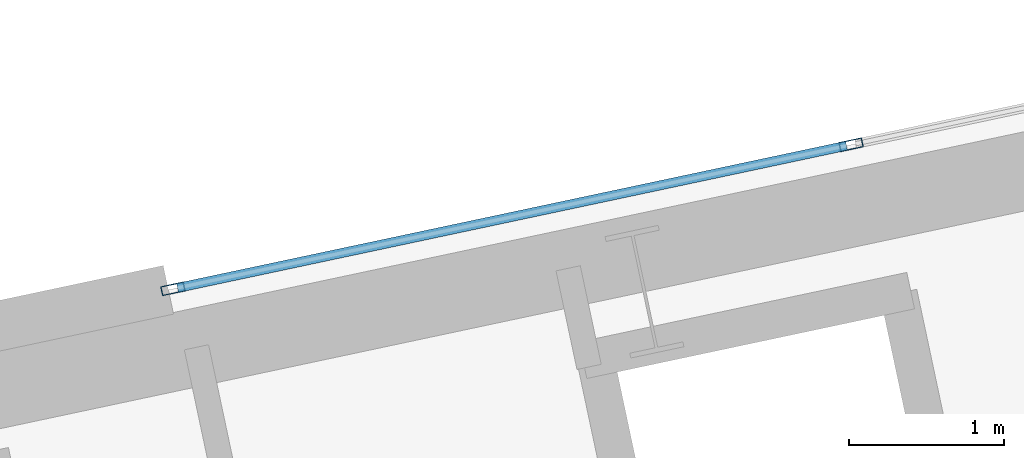
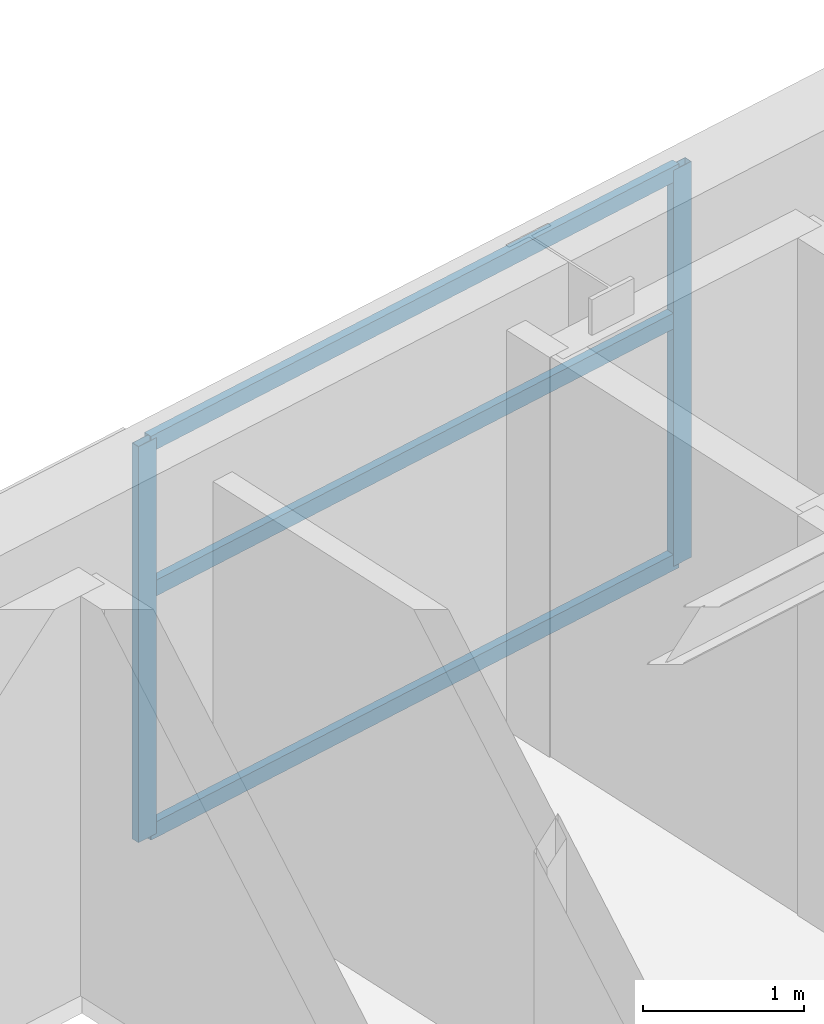
# One storey, part 6 of 22: 5 members, 1 element without a shape of its own.
"""IFC4 building model written with IfcOpenShell, lengths in metres."""

from ifc_helpers import new_model, si_unit, direction, frame, origin, origin_2d, place, context, subcontext, project, spatial, hollow_rectangle, extrude, material, layer, layer_set, material_profile, profile_set, type_object, element, aggregate, save


model = new_model("IFC4")

# Units and contexts
model_context = context("Model", 3, precision=1e-05, world=origin(), true_north=direction((0.0, 1.0)))
body_context = subcontext(model_context, "Body", "Model", "MODEL_VIEW")
ifc_project = project(units=[si_unit("LENGTHUNIT", "METRE"), si_unit("AREAUNIT", "SQUARE_METRE"), si_unit("VOLUMEUNIT", "CUBIC_METRE"), si_unit("PLANEANGLEUNIT", "RADIAN"), si_unit("MASSUNIT", "GRAM", prefix="KILO")], contexts=[model_context])

# Site, building, storey
site_placement = place(None, origin())
site = spatial("IfcSite", under=ifc_project, at=site_placement, CompositionType="ELEMENT")
building_placement = place(site_placement, origin())
building = spatial("IfcBuilding", under=site, at=building_placement, Name="Haevon Station Towers", CompositionType="ELEMENT")
storey_placement = place(building_placement, frame((0.0, 0.0, 113.10009765625)))
storey = spatial("IfcBuildingStorey", under=building, at=storey_placement, Name="L30", CompositionType="ELEMENT", Elevation=113.10009765625)

# Curtain wall, members
ifc_material_1 = material(Name="Anodised aluminium and Low-E double glazing", Category="aluminium")
ifc_layer = layer(ifc_material_1, 0.179931640625)
ifc_layer_set = layer_set([ifc_layer], Name="Anodised aluminium and Low-E double glazing")
curtain_wall_type = type_object("IfcCurtainWallType", Name="CW-SYS5", PredefinedType="NOTDEFINED", material=ifc_layer_set)
curtain_wall_placement = place(storey_placement, origin())
curtain_wall = element("IfcCurtainWall", 1, at=curtain_wall_placement, inside=storey, type_object=curtain_wall_type, Name="L30 Curtain Wall CW-T2-L30-N", PredefinedType="NOTDEFINED")
ifc_material_2 = material(Name="Anodised aluminium 6063-T6", Category="aluminium")
ifc_material_profile_1 = material_profile(ifc_material_2, hollow_rectangle(XDim=0.06005859375, YDim=0.14990234375, WallThickness=0.00341796875, at=origin_2d()), Name="CWM-150x60x3.5")
ifc_profile_set_1 = profile_set([ifc_material_profile_1], Name="Anodised aluminium 6063-T6")
member_type_1 = type_object("IfcMemberType", Name="CWM-150", PredefinedType="MULLION", material=ifc_profile_set_1)
member_1_placement = place(storey_placement, frame((104.03857421875, 48.78955078125, 0.0), z_axis=(0.0, 0.0, 1.0), x_axis=(-0.207911783211, 0.978147581095, 0.0)))
member_1 = element("IfcMember", 2, at=member_1_placement, type_object=member_type_1, Name="CW-SYS5 mullion 1", PredefinedType="MULLION", context=body_context, shape_type="SweptSolid", body=[
    extrude(hollow_rectangle(XDim=0.06005859375, YDim=0.14990234375, WallThickness=0.00341796875, at=origin_2d()), origin(), (0.0, 0.0, 1.0), 3.0),
])
member_2_placement = place(storey_placement, frame((108.410888671875, 49.71875, 0.0), z_axis=(0.0, 0.0, 1.0), x_axis=(-0.207911783211, 0.978147581095, 0.0)))
member_2 = element("IfcMember", 3, at=member_2_placement, type_object=member_type_1, Name="CW-SYS5 mullion 2", PredefinedType="MULLION", context=body_context, shape_type="SweptSolid", body=[
    extrude(hollow_rectangle(XDim=0.06005859375, YDim=0.14990234375, WallThickness=0.00341796875, at=origin_2d()), origin(), (0.0, 0.0, 1.0), 3.0),
])
ifc_material_profile_2 = material_profile(ifc_material_2, hollow_rectangle(XDim=0.06005859375, YDim=0.1201171875, WallThickness=0.0029296875, at=origin_2d()), Name="CWT-120x60x3")
ifc_profile_set_2 = profile_set([ifc_material_profile_2], Name="Anodised aluminium 6063-T6")
member_type_2 = type_object("IfcMemberType", Name="CWT-120", PredefinedType="USERDEFINED", material=ifc_profile_set_2)
member_3_placement = place(storey_placement, frame((104.068115234375, 48.795654296875, 0.02978515625), z_axis=(0.978141400356, 0.207940859165, 0.0), x_axis=(-0.207940859165, 0.978141400356, 0.0)))
member_3 = element("IfcMember", 4, at=member_3_placement, type_object=member_type_2, Name="CW-SYS5 transom 1.1", ObjectType="TRANSOM", PredefinedType="USERDEFINED", context=body_context, shape_type="SweptSolid", body=[
    extrude(hollow_rectangle(XDim=0.06005859375, YDim=0.1201171875, WallThickness=0.0029296875, at=origin_2d()), origin(), (0.0, 0.0, 1.0), 4.409912109375),
])
member_4_placement = place(storey_placement, frame((104.068115234375, 48.795654296875, 1.85986328125), z_axis=(0.978141400356, 0.207940859165, 0.0), x_axis=(-0.207940859165, 0.978141400356, 0.0)))
member_4 = element("IfcMember", 5, at=member_4_placement, type_object=member_type_2, Name="CW-SYS5 transom 1.2", ObjectType="TRANSOM", PredefinedType="USERDEFINED", context=body_context, shape_type="SweptSolid", body=[
    extrude(hollow_rectangle(XDim=0.06005859375, YDim=0.1201171875, WallThickness=0.0029296875, at=origin_2d()), origin(), (0.0, 0.0, 1.0), 4.409912109375),
])
member_5_placement = place(storey_placement, frame((104.068115234375, 48.795654296875, 2.969970703125), z_axis=(0.978141400356, 0.207940859165, 0.0), x_axis=(-0.207940859165, 0.978141400356, 0.0)))
member_5 = element("IfcMember", 6, at=member_5_placement, type_object=member_type_2, Name="CW-SYS5 transom 1.3", ObjectType="TRANSOM", PredefinedType="USERDEFINED", context=body_context, shape_type="SweptSolid", body=[
    extrude(hollow_rectangle(XDim=0.06005859375, YDim=0.1201171875, WallThickness=0.0029296875, at=origin_2d()), origin(), (0.0, 0.0, 1.0), 4.409912109375),
])
aggregate(curtain_wall, [member_1, member_2, member_3, member_4, member_5])

save(model, "model.ifc")
